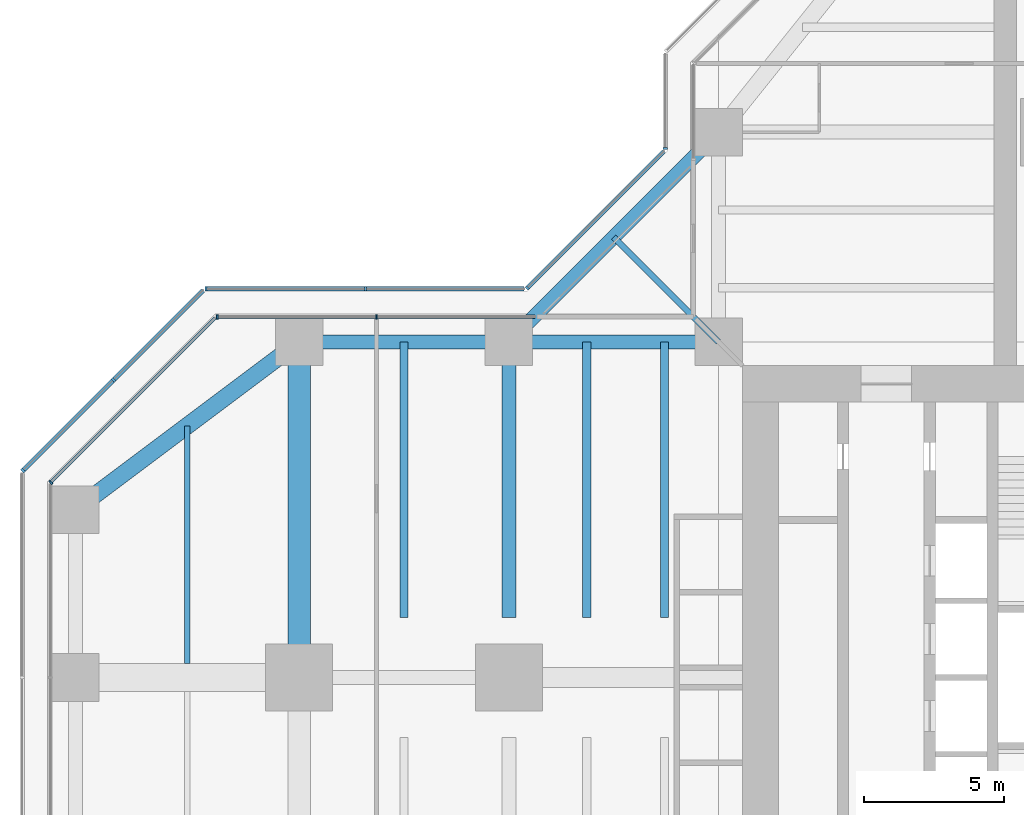
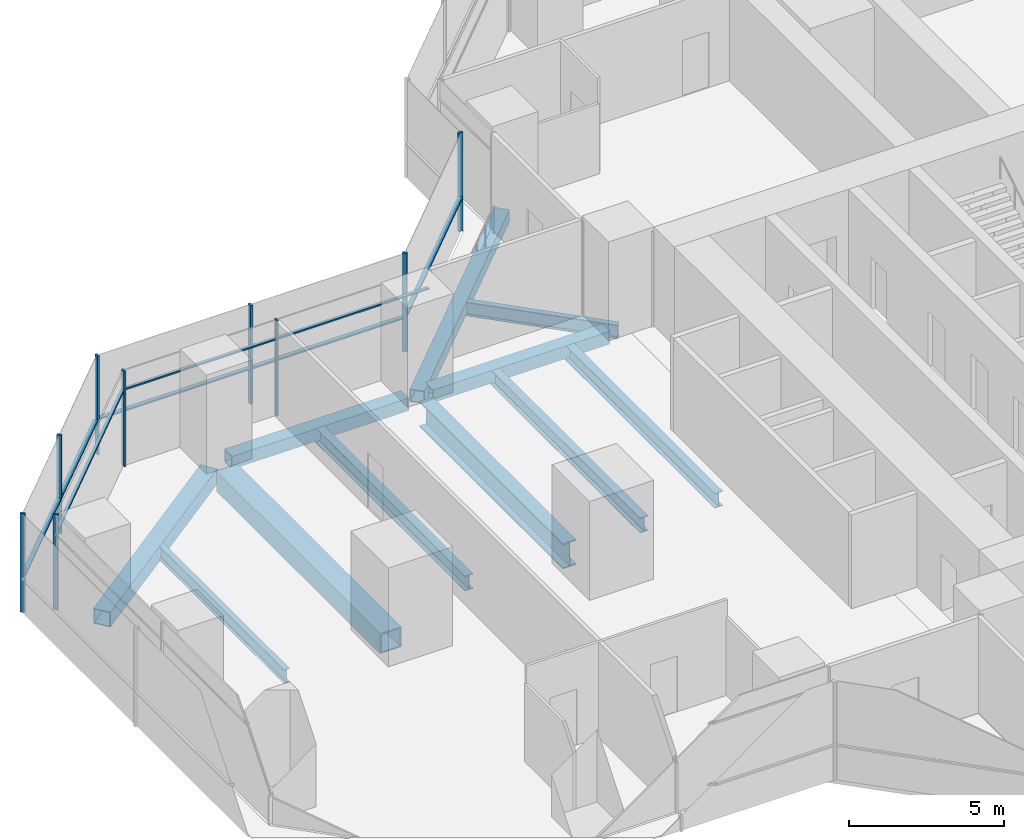
# One storey, part 7 of 20: 17 members, 11 beams, 6 elements without a shape of their own.
"""IFC4 building model written with IfcOpenShell, lengths in metres."""

import ifcopenshell
import ifcopenshell.guid

model = None  # the IFC model being written
_history = None  # IfcOwnerHistory: only IFC2X3 demands one
_inside = {}  # id of a spatial element -> (the spatial element, [elements in it])
_under = {}  # id of a project, library or spatial element -> (it, [spatial elements below it])
_declared = {}  # id of a project -> (the project, [libraries it declares])
_typed = {}  # id of a type object -> (the type object, [elements of that type])
_made_of = {}  # id of a material, layer set ... -> (it, [elements and type objects made of it])


def new_model(schema):
    """Start an empty IFC model of exactly this schema.

    Asked for "IFC4X3", IfcOpenShell would pick the latest addendum, in which some entities
    have other attributes; the version numbers below select the first issue.
    IFC2X3 requires an IfcOwnerHistory on every rooted entity: one is made here for all.
    """
    global model, _history
    if schema == "IFC4X3":
        model = ifcopenshell.file(schema_version=(4, 3, 0, 0))
    else:
        model = ifcopenshell.file(schema=schema)
    _inside.clear()
    _under.clear()
    _declared.clear()
    _typed.clear()
    _made_of.clear()
    _history = None
    if model.schema == "IFC2X3":
        org = make("IfcOrganization", Name="unknown")
        user = make(
            "IfcPersonAndOrganization",
            ThePerson=make("IfcPerson", FamilyName="unknown"),
            TheOrganization=org,
        )
        app = make(
            "IfcApplication",
            ApplicationDeveloper=org,
            Version="unknown",
            ApplicationFullName="unknown",
            ApplicationIdentifier="unknown",
        )
        _history = make(
            "IfcOwnerHistory",
            OwningUser=user,
            OwningApplication=app,
            ChangeAction="ADDED",
            CreationDate=0,
        )
    return model


def make(cls, **values):
    """One entity of the class cls with the attributes given. An attribute that is None is left unset."""
    return model.create_entity(
        cls, **{name: value for name, value in values.items() if value is not None}
    )


def rooted(cls, **values):
    """An entity with a GlobalId (a new one), such as an element, a storey or a relation."""
    return make(cls, GlobalId=ifcopenshell.guid.new(), OwnerHistory=_history, **values)


def si_unit(unit_type, name, prefix=None):
    """IfcSIUnit, for example si_unit("LENGTHUNIT", "METRE", prefix="MILLI")."""
    return make("IfcSIUnit", UnitType=unit_type, Prefix=prefix, Name=name)


def assignment(units):
    """IfcUnitAssignment: the units of a project."""
    return None if units is None else make("IfcUnitAssignment", Units=units)


def point(xyz):
    """IfcCartesianPoint."""
    return None if xyz is None else make("IfcCartesianPoint", Coordinates=xyz)


def direction(xyz):
    """IfcDirection."""
    return None if xyz is None else make("IfcDirection", DirectionRatios=xyz)


def frame(location, z_axis=None, x_axis=None):
    """IfcAxis2Placement3D, a coordinate frame: its origin and axes. An axis left out is left unset."""
    return make(
        "IfcAxis2Placement3D",
        Location=point(location),
        Axis=direction(z_axis),
        RefDirection=direction(x_axis),
    )


def frame_2d(location, x_axis=None):
    """IfcAxis2Placement2D, a coordinate frame in the plane: its origin and x axis."""
    return make(
        "IfcAxis2Placement2D", Location=point(location), RefDirection=direction(x_axis)
    )


def origin():
    """The frame at (0, 0, 0) with its axes left unset."""
    return frame((0.0, 0.0, 0.0))


def origin_2d():
    """The frame at (0, 0) in the plane with its x axis left unset."""
    return frame_2d((0.0, 0.0))


def place(relative_to, where):
    """IfcLocalPlacement: puts the frame where relative to a parent placement (None: the world)."""
    return make(
        "IfcLocalPlacement", PlacementRelTo=relative_to, RelativePlacement=where
    )


def context(
    kind, dimensions, precision=None, world=None, true_north=None, identifier=None
):
    """IfcGeometricRepresentationContext, for example the 3D "Model" context."""
    return make(
        "IfcGeometricRepresentationContext",
        ContextIdentifier=identifier,
        ContextType=kind,
        CoordinateSpaceDimension=dimensions,
        Precision=precision,
        WorldCoordinateSystem=world,
        TrueNorth=true_north,
    )


def subcontext(parent, identifier, kind, view, scale=None):
    """IfcGeometricRepresentationSubContext, for example "Body" below "Model"."""
    return make(
        "IfcGeometricRepresentationSubContext",
        ContextIdentifier=identifier,
        ContextType=kind,
        ParentContext=parent,
        TargetScale=scale,
        TargetView=view,
    )


def project(units=None, contexts=None):
    """IfcProject with its units and contexts."""
    return rooted(
        "IfcProject",
        Name="project",
        RepresentationContexts=contexts,
        UnitsInContext=assignment(units),
    )


def spatial(cls, under=None, at=None, **own):
    """A site, building, storey or space (cls), placed at a placement, below another one or the project."""
    s = rooted(cls, ObjectPlacement=at, **own)
    if under is not None:
        _under.setdefault(under.id(), (under, []))[1].append(s)
    return s


def profile(cls, at=None, kind="AREA", **sizes):
    """A parametric profile (cls). Its sizes go by their IFC names, for example OverallWidth=200.0."""
    return make(cls, ProfileType=kind, Position=at, **sizes)


def rectangle(**sizes):
    """IfcRectangleProfileDef."""
    return profile("IfcRectangleProfileDef", **sizes)


def hollow_rectangle(**sizes):
    """IfcRectangleHollowProfileDef."""
    return profile("IfcRectangleHollowProfileDef", **sizes)


def i_section(**sizes):
    """IfcIShapeProfileDef."""
    return profile("IfcIShapeProfileDef", **sizes)


def extrude(swept, where, along, depth):
    """IfcExtrudedAreaSolid: the profile swept, set in the frame where, extruded along a direction by depth."""
    return make(
        "IfcExtrudedAreaSolid",
        SweptArea=swept,
        Position=where,
        ExtrudedDirection=direction(along),
        Depth=depth,
    )


def shape(context_of_items, identifier, shape_type, items):
    """IfcShapeRepresentation: the items that make up one representation, for example the "Body"."""
    return make(
        "IfcShapeRepresentation",
        ContextOfItems=context_of_items,
        RepresentationIdentifier=identifier,
        RepresentationType=shape_type,
        Items=items,
    )


def material(Name=None, Category=None):
    """IfcMaterial."""
    return make("IfcMaterial", Name=Name, Category=Category)


def material_profile(
    of_material, cross_section, Name=None, Category=None, Priority=None
):
    """IfcMaterialProfile: a cross section and its material."""
    return make(
        "IfcMaterialProfile",
        Name=Name,
        Material=of_material,
        Profile=cross_section,
        Priority=Priority,
        Category=Category,
    )


def profile_set(profiles, Name=None, composite=None):
    """IfcMaterialProfileSet."""
    return make(
        "IfcMaterialProfileSet",
        Name=Name,
        MaterialProfiles=profiles,
        CompositeProfile=composite,
    )


def made_of(thing, what):
    """Note that an element or type object is made of a material, layer set ...; save() writes the relation."""
    if what is not None:
        _made_of.setdefault(what.id(), (what, []))[1].append(thing)
    return thing


def type_object(cls, material=None, **own):
    """A type object (cls), such as IfcWallType, which elements share."""
    return made_of(rooted(cls, **own), material)


def element(
    cls,
    number,
    at=None,
    inside=None,
    cuts=None,
    type_object=None,
    material=None,
    context=None,
    identifier="Body",
    shape_type=None,
    held_by="IfcProductDefinitionShape",
    body=None,
    shapes=None,
    **own,
):
    """One element of the class cls, such as IfcWall. Its Tag is "e" and its number.

    at: its placement. inside: the storey or other place that contains it. cuts: it is an
    opening in that element (IfcRelVoidsElement). A single representation is given by context,
    identifier, shape_type and body (its items); several are given by shapes. held_by: the class
    of the entity that holds the representations. save() writes the other relations.
    """
    e = rooted(cls, Tag="e%d" % number, ObjectPlacement=at, **own)
    if body is not None:
        shapes = [shape(context, identifier, shape_type, body)]
    if shapes is not None:
        e.Representation = make(held_by, Representations=shapes)
    if inside is not None:
        _inside.setdefault(inside.id(), (inside, []))[1].append(e)
    if cuts is not None:
        rooted(
            "IfcRelVoidsElement", RelatingBuildingElement=cuts, RelatedOpeningElement=e
        )
    if type_object is not None:
        _typed.setdefault(type_object.id(), (type_object, []))[1].append(e)
    return made_of(e, material)


def aggregate(whole, parts):
    """IfcRelAggregates: a whole, such as a stair, and the parts it consists of."""
    return rooted("IfcRelAggregates", RelatingObject=whole, RelatedObjects=parts)


def save(model, path):
    """Write the relations noted so far, then the file.

    IfcRelAggregates (storeys below a building ...), IfcRelContainedInSpatialStructure (elements
    in a storey), IfcRelDefinesByType, IfcRelAssociatesMaterial and IfcRelDeclares: one each for
    every whole, place, type object, material and project.
    """
    for whole, parts in _under.values():
        aggregate(whole, parts)
    for where, things in _inside.values():
        rooted(
            "IfcRelContainedInSpatialStructure",
            RelatedElements=things,
            RelatingStructure=where,
        )
    for kind, things in _typed.values():
        rooted("IfcRelDefinesByType", RelatedObjects=things, RelatingType=kind)
    for what, things in _made_of.values():
        rooted("IfcRelAssociatesMaterial", RelatedObjects=things, RelatingMaterial=what)
    for by, libraries in _declared.values():
        rooted("IfcRelDeclares", RelatingContext=by, RelatedDefinitions=libraries)
    model.write(path)


model = new_model("IFC4")

# Units and contexts
model_context = context("Model", 3, precision=1e-05, world=origin(), true_north=direction((0.0, 1.0)))
body_context = subcontext(model_context, "Body", "Model", "MODEL_VIEW")
ifc_project = project(units=[si_unit("LENGTHUNIT", "METRE"), si_unit("AREAUNIT", "SQUARE_METRE"), si_unit("VOLUMEUNIT", "CUBIC_METRE"), si_unit("PLANEANGLEUNIT", "RADIAN"), si_unit("MASSUNIT", "GRAM", prefix="KILO")], contexts=[model_context])

# Site, building, storey
site_placement = place(None, origin())
site = spatial("IfcSite", under=ifc_project, at=site_placement, CompositionType="ELEMENT")
building_placement = place(site_placement, origin())
building = spatial("IfcBuilding", under=site, at=building_placement, Name="Mizan Broadcast Tower", CompositionType="ELEMENT")
storey_placement = place(building_placement, frame((0.0, 0.0, 190.5)))
storey = spatial("IfcBuildingStorey", under=building, at=storey_placement, Name="L44", CompositionType="ELEMENT", Elevation=190.5)

# Beams
ifc_material_1 = material(Name="Steel S355", Category="steel")
ifc_material_profile_1 = material_profile(ifc_material_1, hollow_rectangle(XDim=0.5, YDim=0.5, WallThickness=0.030029296875, at=origin_2d()), Name="BOX 500x500x30")
ifc_profile_set_1 = profile_set([ifc_material_profile_1], Name="Steel S355")
beam_type_1 = type_object("IfcBeamType", Name="EDGE BEAM BOX 500x500x30", PredefinedType="SPANDREL", material=ifc_profile_set_1)
for number, where, z_axis, x_axis, name in (
    (1, (-12.449951171875, 12.0, -0.3798828125), (-1.0, 0.0, 0.0), (0.0, -1.0, 0.0), "Edge beam BOX 500x500x30 L44 west arm"),
    (2, (-19.949951171875, 12.0, -0.3798828125), (-1.0, 0.0, 0.0), (0.0, -1.0, 0.0), "Edge beam BOX 500x500x30 L44 west arm"),
):
    element("IfcBeam", number, at=place(storey_placement, frame(where, z_axis=z_axis, x_axis=x_axis)), inside=storey, type_object=beam_type_1, Name=name, PredefinedType="SPANDREL", context=body_context, shape_type="SweptSolid", body=[
        extrude(hollow_rectangle(XDim=0.5, YDim=0.5, WallThickness=0.030029296875, at=origin_2d()), origin(), (0.0, 0.0, 1.0), 6.60009765625),
    ])
beam_1_placement = place(storey_placement, frame((-12.0, 19.5, -0.3798828125), z_axis=(-0.707106781187, -0.707106781187, 0.0), x_axis=(0.707106781187, -0.707106781187, 0.0)))
element("IfcBeam", 3, at=beam_1_placement, inside=storey, type_object=beam_type_1, Name="Winter garden edge beam L44 N", PredefinedType="SPANDREL", context=body_context, shape_type="SweptSolid", body=[
    extrude(hollow_rectangle(XDim=0.5, YDim=0.5, WallThickness=0.030029296875, at=origin_2d()), origin(), (0.0, 0.0, 1.0), 10.606689453125),
])
ifc_material_2 = material(Name="Steel S355", Category="steel")
ifc_material_profile_2 = material_profile(ifc_material_2, hollow_rectangle(XDim=0.60009765625, YDim=0.60009765625, WallThickness=0.030029296875, at=origin_2d()), Name="BOX 600x600x30")
ifc_profile_set_2 = profile_set([ifc_material_profile_2], Name="Steel S355")
beam_type_2 = type_object("IfcBeamType", Name="EDGE BEAM BOX 600x600x30", PredefinedType="SPANDREL", material=ifc_profile_set_2)
beam_2_placement = place(storey_placement, frame((-27.47998046875, 11.639892578125, -0.429931640625), z_axis=(-0.800013316712, -0.599982243973, 0.0), x_axis=(0.599982243973, -0.800013316712, 0.0)))
element("IfcBeam", 4, at=beam_2_placement, inside=storey, type_object=beam_type_2, Name="Edge beam BOX 600x600x30 L44 west arm", PredefinedType="SPANDREL", context=body_context, shape_type="SweptSolid", body=[
    extrude(hollow_rectangle(XDim=0.60009765625, YDim=0.60009765625, WallThickness=0.030029296875, at=origin_2d()), origin(), (0.0, 0.0, 1.0), 8.7998046875),
])
ifc_material_3 = material(Name="Steel S460", Category="steel")
ifc_material_profile_3 = material_profile(ifc_material_3, hollow_rectangle(XDim=0.800048828125, YDim=0.800048828125, WallThickness=0.050048828125, at=origin_2d()), Name="BOX 800x800x50")
ifc_profile_set_3 = profile_set([ifc_material_profile_3], Name="Steel S460")
beam_type_3 = type_object("IfcBeamType", Name="GIRDER BOX 800x800x50", PredefinedType="BEAM", material=ifc_profile_set_3)
beam_3_placement = place(storey_placement, frame((-27.0, 11.280029296875, -0.530029296875), z_axis=(0.0, -1.0, 0.0), x_axis=(1.0, 0.0, 0.0)))
element("IfcBeam", 5, at=beam_3_placement, inside=storey, type_object=beam_type_3, Name="Girder BOX 800x800x50 L44 west arm", PredefinedType="BEAM", context=body_context, shape_type="SweptSolid", body=[
    extrude(hollow_rectangle(XDim=0.800048828125, YDim=0.800048828125, WallThickness=0.050048828125, at=origin_2d()), origin(), (0.0, 0.0, 1.0), 10.56005859375),
])
ifc_material_4 = material(Name="Steel S460", Category="steel")
ifc_material_profile_4 = material_profile(ifc_material_4, i_section(OverallWidth=0.5, OverallDepth=1.0, WebThickness=0.02490234375, FlangeThickness=0.050048828125, at=origin_2d()), Name="WPG 1000x500")
ifc_profile_set_4 = profile_set([ifc_material_profile_4], Name="Steel S460")
beam_type_4 = type_object("IfcBeamType", Name="GIRDER WPG 1000x500", PredefinedType="BEAM", material=ifc_profile_set_4)
beam_4_placement = place(storey_placement, frame((-19.5, 11.408935546875, -0.6298828125), z_axis=(0.0, -1.0, 0.0), x_axis=(1.0, 0.0, 0.0)))
element("IfcBeam", 6, at=beam_4_placement, inside=storey, type_object=beam_type_4, Name="Girder WPG 1000x500 L44 west arm", PredefinedType="BEAM", context=body_context, shape_type="SweptSolid", body=[
    extrude(i_section(OverallWidth=0.5, OverallDepth=1.0, WebThickness=0.02490234375, FlangeThickness=0.050048828125, at=origin_2d()), origin(), (0.0, 0.0, 1.0), 9.259033203125),
])

# Curtain wall, members
ifc_material_5 = material(Name="Aluminium framed glazing", Category="aluminium")
curtain_wall_type_1 = type_object("IfcCurtainWallType", Name="INNER SKIN MID ZONE", PredefinedType="USERDEFINED", material=ifc_material_5)
curtain_wall_1_placement = place(storey_placement, origin())
curtain_wall_1 = element("IfcCurtainWall", 7, at=curtain_wall_1_placement, inside=storey, type_object=curtain_wall_type_1, Name="Inner skin mid zone L44 W side", ObjectType="INNER SKIN MID ZONE", PredefinedType="USERDEFINED")
ifc_material_6 = material(Name="Aluminium, pale anodised", Category="aluminium")
ifc_material_profile_5 = material_profile(ifc_material_6, rectangle(XDim=0.159912109375, YDim=0.06005859375, at=origin_2d()), Name="MULLION 160x60")
ifc_profile_set_5 = profile_set([ifc_material_profile_5], Name="Aluminium, pale anodised")
member_type_1 = type_object("IfcMemberType", Name="INNER SKIN MULLION 60x160", PredefinedType="MULLION", material=ifc_profile_set_5)
member_1_placement = place(storey_placement, frame((-24.229248046875, 12.89990234375, 0.0), z_axis=(0.0, 0.0, 1.0), x_axis=(0.0, -1.0, 0.0)))
member_1 = element("IfcMember", 8, at=member_1_placement, type_object=member_type_1, Name="Inner skin mid zone L44 W side mullion 2", PredefinedType="MULLION", context=body_context, shape_type="SweptSolid", body=[
    extrude(rectangle(XDim=0.159912109375, YDim=0.06005859375, at=origin_2d()), origin(), (0.0, 0.0, 1.0), 3.77001953125),
])
member_2_placement = place(storey_placement, frame((-29.928466796875, 12.89990234375, 0.0), z_axis=(0.0, 0.0, 1.0), x_axis=(0.0, -1.0, 0.0)))
member_2 = element("IfcMember", 9, at=member_2_placement, type_object=member_type_1, Name="Inner skin mid zone L44 W side mullion 3", PredefinedType="MULLION", context=body_context, shape_type="SweptSolid", body=[
    extrude(rectangle(XDim=0.159912109375, YDim=0.06005859375, at=origin_2d()), origin(), (0.0, 0.0, 1.0), 3.77001953125),
])

# Curtain wall, member
curtain_wall_2_placement = place(storey_placement, origin())
curtain_wall_2 = element("IfcCurtainWall", 10, at=curtain_wall_2_placement, inside=storey, type_object=curtain_wall_type_1, Name="Inner skin mid zone L44 W chamfer", ObjectType="INNER SKIN MID ZONE", PredefinedType="USERDEFINED")
member_3_placement = place(storey_placement, frame((-35.87890625, 6.979736328125, 0.0), z_axis=(0.0, 0.0, 1.0), x_axis=(0.707106781187, -0.707106781187, 0.0)))
member_3 = element("IfcMember", 11, at=member_3_placement, type_object=member_type_1, Name="Inner skin mid zone L44 W chamfer mullion 2", PredefinedType="MULLION", context=body_context, shape_type="SweptSolid", body=[
    extrude(rectangle(XDim=0.159912109375, YDim=0.06005859375, at=origin_2d()), origin(), (0.0, 0.0, 1.0), 3.77001953125),
])

# Member
ifc_material_7 = material(Name="Aluminium, pale anodised", Category="aluminium")
ifc_material_profile_6 = material_profile(ifc_material_7, rectangle(XDim=0.1201171875, YDim=0.06005859375, at=origin_2d()), Name="TRANSOM 120x60")
ifc_profile_set_6 = profile_set([ifc_material_profile_6], Name="Aluminium, pale anodised")
member_type_2 = type_object("IfcMemberType", Name="INNER SKIN TRANSOM 60x120", PredefinedType="USERDEFINED", material=ifc_profile_set_6)
member_4_placement = place(storey_placement, frame((-18.56005859375, 12.89990234375, 3.030029296875), z_axis=(-1.0, 0.0, 0.0), x_axis=(0.0, -1.0, 0.0)))
member_4 = element("IfcMember", 12, at=member_4_placement, type_object=member_type_2, Name="Inner skin mid zone L44 W side transom 1.1", ObjectType="TRANSOM", PredefinedType="USERDEFINED", context=body_context, shape_type="SweptSolid", body=[
    extrude(rectangle(XDim=0.1201171875, YDim=0.06005859375, at=origin_2d()), origin(), (0.0, 0.0, 1.0), 5.63916015625),
])

member_5_placement = place(storey_placement, frame((-24.25927734375, 12.89990234375, 3.030029296875), z_axis=(-1.0, 0.0, 0.0), x_axis=(0.0, -1.0, 0.0)))
member_5 = element("IfcMember", 13, at=member_5_placement, type_object=member_type_2, Name="Inner skin mid zone L44 W side transom 2.1", ObjectType="TRANSOM", PredefinedType="USERDEFINED", context=body_context, shape_type="SweptSolid", body=[
    extrude(rectangle(XDim=0.1201171875, YDim=0.06005859375, at=origin_2d()), origin(), (0.0, 0.0, 1.0), 5.639404296875),
])

aggregate(curtain_wall_1, [member_1, member_2, member_4, member_5])

member_6_placement = place(storey_placement, frame((-30.0009765625, 12.857666015625, 3.030029296875), z_axis=(-0.707106781187, -0.707106781187, 0.0), x_axis=(0.707106781187, -0.707106781187, 0.0)))
member_6 = element("IfcMember", 14, at=member_6_placement, type_object=member_type_2, Name="Inner skin mid zone L44 W chamfer transom 1.1", ObjectType="TRANSOM", PredefinedType="USERDEFINED", context=body_context, shape_type="SweptSolid", body=[
    extrude(rectangle(XDim=0.1201171875, YDim=0.06005859375, at=origin_2d()), origin(), (0.0, 0.0, 1.0), 8.28271484375),
])

aggregate(curtain_wall_2, [member_3, member_6])

# Curtain wall, member
ifc_material_8 = material(Name="Aluminium framed glazing", Category="aluminium")
curtain_wall_type_2 = type_object("IfcCurtainWallType", Name="OUTER SKIN", PredefinedType="USERDEFINED", material=ifc_material_8)
curtain_wall_3_placement = place(storey_placement, origin())
curtain_wall_3 = element("IfcCurtainWall", 15, at=curtain_wall_3_placement, inside=storey, type_object=curtain_wall_type_2, Name="Outer skin L44 N side", ObjectType="OUTER SKIN", PredefinedType="USERDEFINED")
ifc_material_9 = material(Name="Aluminium, pale anodised", Category="aluminium")
ifc_material_profile_7 = material_profile(ifc_material_9, rectangle(XDim=0.159912109375, YDim=0.080078125, at=origin_2d()), Name="MULLION 160x80")
ifc_profile_set_7 = profile_set([ifc_material_profile_7], Name="Aluminium, pale anodised")
member_type_3 = type_object("IfcMemberType", Name="OUTER SKIN MULLION 80x160", PredefinedType="MULLION", material=ifc_profile_set_7)
member_7_placement = place(storey_placement, frame((-13.89990234375, 18.912841796875, 0.0), z_axis=(0.0, 0.0, 1.0), x_axis=(1.0, 0.0, 0.0)))
member_7 = element("IfcMember", 16, at=member_7_placement, type_object=member_type_3, Name="Outer skin L44 N side mullion 2", PredefinedType="MULLION", context=body_context, shape_type="SweptSolid", body=[
    extrude(rectangle(XDim=0.159912109375, YDim=0.080078125, at=origin_2d()), origin(), (0.0, 0.0, 1.0), 3.89990234375),
])
aggregate(curtain_wall_3, [member_7])

curtain_wall_4_placement = place(storey_placement, origin())
curtain_wall_4 = element("IfcCurtainWall", 17, at=curtain_wall_4_placement, inside=storey, type_object=curtain_wall_type_2, Name="Outer skin L44 W chamfer", ObjectType="OUTER SKIN", PredefinedType="USERDEFINED")
member_8_placement = place(storey_placement, frame((-18.844482421875, 13.92822265625, 0.0), z_axis=(0.0, 0.0, 1.0), x_axis=(0.707106781187, -0.707106781187, 0.0)))
member_8 = element("IfcMember", 18, at=member_8_placement, type_object=member_type_3, Name="Outer skin L44 W chamfer mullion 2", PredefinedType="MULLION", context=body_context, shape_type="SweptSolid", body=[
    extrude(rectangle(XDim=0.159912109375, YDim=0.080078125, at=origin_2d()), origin(), (0.0, 0.0, 1.0), 3.89990234375),
])

# Curtain wall, members
curtain_wall_5_placement = place(storey_placement, origin())
curtain_wall_5 = element("IfcCurtainWall", 19, at=curtain_wall_5_placement, inside=storey, type_object=curtain_wall_type_2, Name="Outer skin L44 W side", ObjectType="OUTER SKIN", PredefinedType="USERDEFINED")
member_9_placement = place(storey_placement, frame((-24.622802734375, 13.89990234375, 0.0), z_axis=(0.0, 0.0, 1.0), x_axis=(0.0, -1.0, 0.0)))
member_9 = element("IfcMember", 20, at=member_9_placement, type_object=member_type_3, Name="Outer skin L44 W side mullion 2", PredefinedType="MULLION", context=body_context, shape_type="SweptSolid", body=[
    extrude(rectangle(XDim=0.159912109375, YDim=0.080078125, at=origin_2d()), origin(), (0.0, 0.0, 1.0), 3.89990234375),
])
member_10_placement = place(storey_placement, frame((-30.332763671875, 13.89990234375, 0.0), z_axis=(0.0, 0.0, 1.0), x_axis=(0.0, -1.0, 0.0)))
member_10 = element("IfcMember", 21, at=member_10_placement, type_object=member_type_3, Name="Outer skin L44 W side mullion 3", PredefinedType="MULLION", context=body_context, shape_type="SweptSolid", body=[
    extrude(rectangle(XDim=0.159912109375, YDim=0.080078125, at=origin_2d()), origin(), (0.0, 0.0, 1.0), 3.89990234375),
])

curtain_wall_6_placement = place(storey_placement, origin())
curtain_wall_6 = element("IfcCurtainWall", 22, at=curtain_wall_6_placement, inside=storey, type_object=curtain_wall_type_2, Name="Outer skin L44 W chamfer", ObjectType="OUTER SKIN", PredefinedType="USERDEFINED")
member_11_placement = place(storey_placement, frame((-33.636474609375, 10.636474609375, 0.0), z_axis=(0.0, 0.0, 1.0), x_axis=(0.707106781187, -0.707106781187, 0.0)))
member_11 = element("IfcMember", 23, at=member_11_placement, type_object=member_type_3, Name="Outer skin L44 W chamfer mullion 2", PredefinedType="MULLION", context=body_context, shape_type="SweptSolid", body=[
    extrude(rectangle(XDim=0.159912109375, YDim=0.080078125, at=origin_2d()), origin(), (0.0, 0.0, 1.0), 3.89990234375),
])
member_12_placement = place(storey_placement, frame((-36.871826171875, 7.401123046875, 0.0), z_axis=(0.0, 0.0, 1.0), x_axis=(0.707106781187, -0.707106781187, 0.0)))
member_12 = element("IfcMember", 24, at=member_12_placement, type_object=member_type_3, Name="Outer skin L44 W chamfer mullion 3", PredefinedType="MULLION", context=body_context, shape_type="SweptSolid", body=[
    extrude(rectangle(XDim=0.159912109375, YDim=0.080078125, at=origin_2d()), origin(), (0.0, 0.0, 1.0), 3.89990234375),
])

# Member
ifc_material_10 = material(Name="Aluminium, pale anodised", Category="aluminium")
ifc_material_profile_8 = material_profile(ifc_material_10, rectangle(XDim=0.159912109375, YDim=0.06005859375, at=origin_2d()), Name="TRANSOM 160x60")
ifc_profile_set_8 = profile_set([ifc_material_profile_8], Name="Aluminium, pale anodised")
member_type_4 = type_object("IfcMemberType", Name="OUTER SKIN TRANSOM 60x160", PredefinedType="USERDEFINED", material=ifc_profile_set_8)
member_13_placement = place(storey_placement, frame((-13.95654296875, 18.816162109375, 1.39990234375), z_axis=(-0.707106781187, -0.707106781187, 0.0), x_axis=(0.707106781187, -0.707106781187, 0.0)))
member_13 = element("IfcMember", 25, at=member_13_placement, type_object=member_type_4, Name="Outer skin L44 W chamfer transom 1.1", ObjectType="TRANSOM", PredefinedType="USERDEFINED", context=body_context, shape_type="SweptSolid", body=[
    extrude(rectangle(XDim=0.159912109375, YDim=0.06005859375, at=origin_2d()), origin(), (0.0, 0.0, 1.0), 6.87255859375),
])

aggregate(curtain_wall_4, [member_8, member_13])

member_14_placement = place(storey_placement, frame((-18.952880859375, 13.89990234375, 1.39990234375), z_axis=(-1.0, 0.0, 0.0), x_axis=(0.0, -1.0, 0.0)))
member_14 = element("IfcMember", 26, at=member_14_placement, type_object=member_type_4, Name="Outer skin L44 W side transom 1.1", ObjectType="TRANSOM", PredefinedType="USERDEFINED", context=body_context, shape_type="SweptSolid", body=[
    extrude(rectangle(XDim=0.159912109375, YDim=0.06005859375, at=origin_2d()), origin(), (0.0, 0.0, 1.0), 5.6298828125),
])

member_15_placement = place(storey_placement, frame((-24.662841796875, 13.89990234375, 1.39990234375), z_axis=(-1.0, 0.0, 0.0), x_axis=(0.0, -1.0, 0.0)))
member_15 = element("IfcMember", 27, at=member_15_placement, type_object=member_type_4, Name="Outer skin L44 W side transom 2.1", ObjectType="TRANSOM", PredefinedType="USERDEFINED", context=body_context, shape_type="SweptSolid", body=[
    extrude(rectangle(XDim=0.159912109375, YDim=0.06005859375, at=origin_2d()), origin(), (0.0, 0.0, 1.0), 5.6298828125),
])

aggregate(curtain_wall_5, [member_9, member_10, member_14, member_15])

member_16_placement = place(storey_placement, frame((-30.429443359375, 13.843505859375, 1.39990234375), z_axis=(-0.707106781187, -0.707106781187, 0.0), x_axis=(0.707106781187, -0.707106781187, 0.0)))
member_16 = element("IfcMember", 28, at=member_16_placement, type_object=member_type_4, Name="Outer skin L44 W chamfer transom 1.1", ObjectType="TRANSOM", PredefinedType="USERDEFINED", context=body_context, shape_type="SweptSolid", body=[
    extrude(rectangle(XDim=0.159912109375, YDim=0.06005859375, at=origin_2d()), origin(), (0.0, 0.0, 1.0), 4.495361328125),
])

member_17_placement = place(storey_placement, frame((-33.664794921875, 10.608154296875, 1.39990234375), z_axis=(-0.707106781187, -0.707106781187, 0.0), x_axis=(0.707106781187, -0.707106781187, 0.0)))
member_17 = element("IfcMember", 29, at=member_17_placement, type_object=member_type_4, Name="Outer skin L44 W chamfer transom 2.1", ObjectType="TRANSOM", PredefinedType="USERDEFINED", context=body_context, shape_type="SweptSolid", body=[
    extrude(rectangle(XDim=0.159912109375, YDim=0.06005859375, at=origin_2d()), origin(), (0.0, 0.0, 1.0), 4.495361328125),
])

aggregate(curtain_wall_6, [member_11, member_12, member_16, member_17])

# Beams
ifc_material_11 = material(Name="Steel S355", Category="steel")
ifc_material_profile_9 = material_profile(ifc_material_11, i_section(OverallWidth=0.300048828125, OverallDepth=0.590087890625, WebThickness=0.012939453125, FlangeThickness=0.02490234375, FilletRadius=0.027099609375, at=origin_2d()), Name="HEA 600")
ifc_profile_set_9 = profile_set([ifc_material_profile_9], Name="Steel S355")
beam_type_5 = type_object("IfcBeamType", Name="SECONDARY BEAM HEA 600", PredefinedType="JOIST", material=ifc_profile_set_9)
for number, where, z_axis, x_axis, name in (
    (30, (-13.933349609375, 12.0, -0.425048828125), (0.0, -1.0, 0.0), (1.0, 0.0, 0.0), "Secondary beam HEA 600 L44 west arm"),
    (31, (-16.716552734375, 12.0, -0.425048828125), (0.0, -1.0, 0.0), (1.0, 0.0, 0.0), "Secondary beam HEA 600 L44 west arm"),
    (32, (-23.25, 12.0, -0.425048828125), (0.0, -1.0, 0.0), (1.0, 0.0, 0.0), "Secondary beam HEA 600 L44 west arm"),
):
    element("IfcBeam", number, at=place(storey_placement, frame(where, z_axis=z_axis, x_axis=x_axis)), inside=storey, type_object=beam_type_5, Name=name, PredefinedType="JOIST", context=body_context, shape_type="SweptSolid", body=[
        extrude(i_section(OverallWidth=0.300048828125, OverallDepth=0.590087890625, WebThickness=0.012939453125, FlangeThickness=0.02490234375, FilletRadius=0.027099609375, at=origin_2d()), origin(), (0.0, 0.0, 1.0), 9.85009765625),
    ])
ifc_material_12 = material(Name="Steel S355", Category="steel")
ifc_material_profile_10 = material_profile(ifc_material_12, i_section(OverallWidth=0.2099609375, OverallDepth=0.550048828125, WebThickness=0.010986328125, FlangeThickness=0.01708984375, FilletRadius=0.02392578125, at=origin_2d()), Name="IPE 550")
ifc_profile_set_10 = profile_set([ifc_material_profile_10], Name="Steel S355")
beam_type_6 = type_object("IfcBeamType", Name="SECONDARY BEAM IPE 550", PredefinedType="JOIST", material=ifc_profile_set_10)
beam_5_placement = place(storey_placement, frame((-31.0, 9.0, -0.405029296875), z_axis=(0.0, -1.0, 0.0), x_axis=(1.0, 0.0, 0.0)))
element("IfcBeam", 33, at=beam_5_placement, inside=storey, type_object=beam_type_6, Name="Secondary beam IPE 550 L44 west arm", PredefinedType="JOIST", context=body_context, shape_type="SweptSolid", body=[
    extrude(i_section(OverallWidth=0.2099609375, OverallDepth=0.550048828125, WebThickness=0.010986328125, FlangeThickness=0.01708984375, FilletRadius=0.02392578125, at=origin_2d()), origin(), (0.0, 0.0, 1.0), 8.5),
])
beam_6_placement = place(storey_placement, frame((-12.0, 12.0, -0.405029296875), z_axis=(-0.707106781187, 0.707106781187, 0.0), x_axis=(-0.707106781187, -0.707106781187, 0.0)))
element("IfcBeam", 34, at=beam_6_placement, inside=storey, type_object=beam_type_6, Name="Winter garden beam L44 N", PredefinedType="JOIST", context=body_context, shape_type="SweptSolid", body=[
    extrude(i_section(OverallWidth=0.2099609375, OverallDepth=0.550048828125, WebThickness=0.010986328125, FlangeThickness=0.01708984375, FilletRadius=0.02392578125, at=origin_2d()), origin(), (0.0, 0.0, 1.0), 5.30322265625),
])

save(model, "model.ifc")
